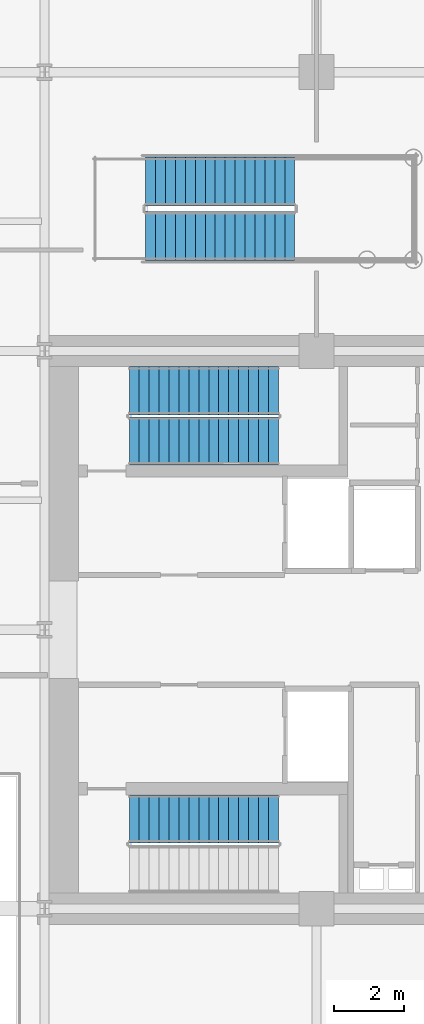
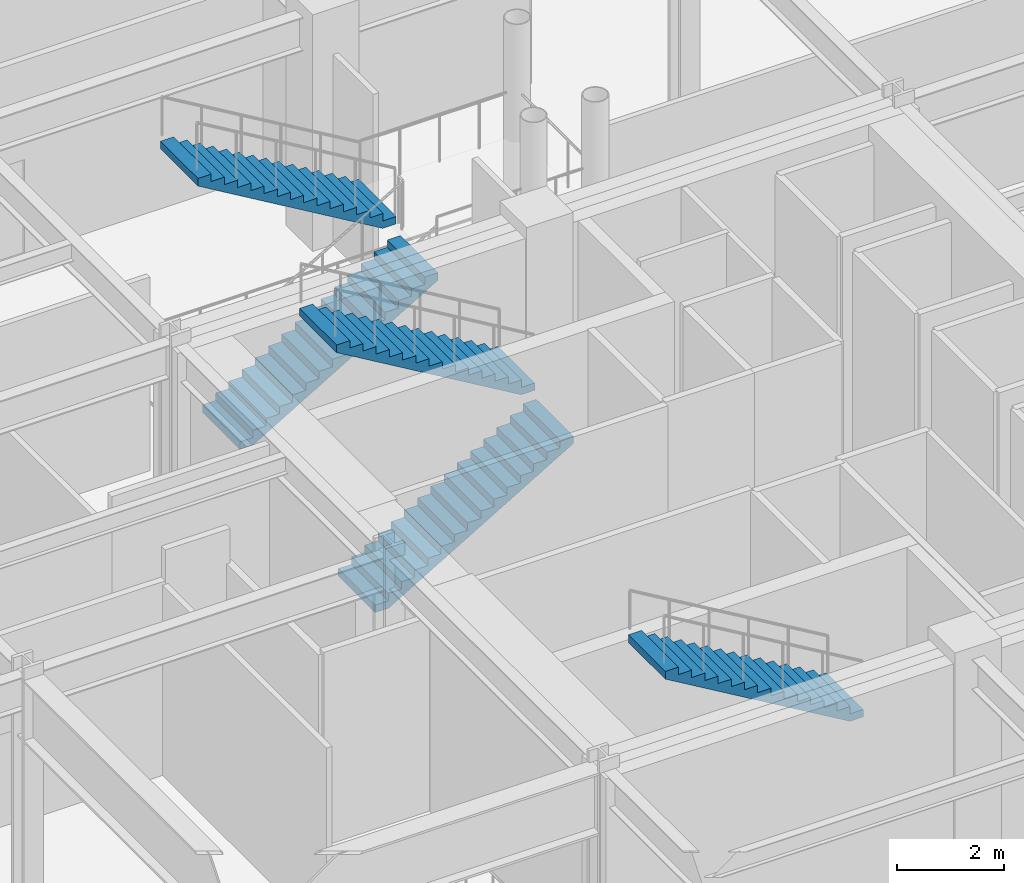
# One storey, part 11 of 15: 5 stair flights, 3 elements without a shape of their own.
"""IFC4 building model written with IfcOpenShell, lengths in metres."""

from ifc_helpers import new_model, si_unit, direction, frame, origin, place, context, subcontext, project, spatial, polyline, outline, extrude, material, type_object, element, aggregate, save


model = new_model("IFC4")

# Units and contexts
model_context = context("Model", 3, precision=1e-05, world=origin(), true_north=direction((0.0, 1.0)))
body_context = subcontext(model_context, "Body", "Model", "MODEL_VIEW")
ifc_project = project(units=[si_unit("LENGTHUNIT", "METRE"), si_unit("AREAUNIT", "SQUARE_METRE"), si_unit("VOLUMEUNIT", "CUBIC_METRE"), si_unit("PLANEANGLEUNIT", "RADIAN"), si_unit("MASSUNIT", "GRAM", prefix="KILO")], contexts=[model_context])

# Site, building, storey
site_placement = place(None, origin())
site = spatial("IfcSite", under=ifc_project, at=site_placement, CompositionType="ELEMENT")
building_placement = place(site_placement, origin())
building = spatial("IfcBuilding", under=site, at=building_placement, Name="Veymaron Broadcast Tower", CompositionType="ELEMENT")
storey_placement = place(building_placement, frame((0.0, 0.0, 5.39990234375)))
storey = spatial("IfcBuildingStorey", under=building, at=storey_placement, Name="L01", CompositionType="ELEMENT", Elevation=5.39990234375)

# Stair, stair flights
ifc_material_1 = material(Name="Concrete C50/60", Category="concrete")
stair_type_1 = type_object("IfcStairType", Name="STAIR-CORE-1", PredefinedType="HALF_TURN_STAIR", material=ifc_material_1)
stair_1_placement = place(storey_placement, origin())
stair_1 = element("IfcStair", 1, at=stair_1_placement, inside=storey, type_object=stair_type_1, Name="L01 North protected dog-leg exit stair ST1", PredefinedType="HALF_TURN_STAIR")
ifc_material_2 = material(Name="Precast concrete C50/60", Category="concrete")
stair_flight_type_1 = type_object("IfcStairFlightType", Name="FLT-CORE-RC", PredefinedType="STRAIGHT", material=ifc_material_2)
stair_flight_1_placement = place(storey_placement, frame((41.429931640625, 29.419921875, 0.0), z_axis=(0.0, 0.0, 1.0), x_axis=(1.0, 0.0, 0.0)))
stair_flight_1 = element("IfcStairFlight", 2, at=stair_flight_1_placement, type_object=stair_flight_type_1, Name="ST1 flight 1", NumberOfRisers=16, NumberOfTreads=15, PredefinedType="STRAIGHT", RiserHeight=0.16875, TreadLength=0.285, context=body_context, shape_type="SweptSolid", body=[
    extrude(outline(polyline([(0.0, 0.0), (0.0, 0.168701171875), (0.284912109375, 0.168701171875), (0.284912109375, 0.33740234375), (0.570068359375, 0.33740234375), (0.570068359375, 0.50634765625), (0.85498046875, 0.50634765625), (0.85498046875, 0.675048828125), (1.139892578125, 0.675048828125), (1.139892578125, 0.84375), (1.425048828125, 0.84375), (1.425048828125, 1.012451171875), (1.7099609375, 1.012451171875), (1.7099609375, 1.18115234375), (1.9951171875, 1.18115234375), (1.9951171875, 1.35009765625), (2.280029296875, 1.35009765625), (2.280029296875, 1.518798828125), (2.56494140625, 1.518798828125), (2.56494140625, 1.6875), (2.85009765625, 1.6875), (2.85009765625, 1.856201171875), (3.135009765625, 1.856201171875), (3.135009765625, 2.02490234375), (3.419921875, 2.02490234375), (3.419921875, 2.19384765625), (3.705078125, 2.19384765625), (3.705078125, 2.362548828125), (3.989990234375, 2.362548828125), (3.989990234375, 2.53125), (4.27490234375, 2.53125), (4.27490234375, 2.699951171875), (4.27490234375, 2.35693359375), (0.294189453125, 0.0), (0.0, 0.0)])), frame((0.0, 0.68994140625, 0.0), z_axis=(0.0, -1.0, 0.0), x_axis=(1.0, 0.0, 0.0)), (0.0, 0.0, 1.0), 1.3798828125),
])
stair_flight_2_placement = place(storey_placement, frame((45.705078125, 30.860107421875, 2.7001953125), z_axis=(0.0, 0.0, 1.0), x_axis=(-1.0, 0.0, 0.0)))
stair_flight_2 = element("IfcStairFlight", 3, at=stair_flight_2_placement, type_object=stair_flight_type_1, Name="ST1 flight 2", NumberOfRisers=16, NumberOfTreads=15, PredefinedType="STRAIGHT", RiserHeight=0.16875, TreadLength=0.285, context=body_context, shape_type="SweptSolid", body=[
    extrude(outline(polyline([(0.0, 0.0), (0.0, 0.168701171875), (0.284912109375, 0.168701171875), (0.284912109375, 0.33740234375), (0.570068359375, 0.33740234375), (0.570068359375, 0.50634765625), (0.85498046875, 0.50634765625), (0.85498046875, 0.675048828125), (1.139892578125, 0.675048828125), (1.139892578125, 0.84375), (1.425048828125, 0.84375), (1.425048828125, 1.012451171875), (1.7099609375, 1.012451171875), (1.7099609375, 1.18115234375), (1.9951171875, 1.18115234375), (1.9951171875, 1.35009765625), (2.280029296875, 1.35009765625), (2.280029296875, 1.518798828125), (2.56494140625, 1.518798828125), (2.56494140625, 1.6875), (2.85009765625, 1.6875), (2.85009765625, 1.856201171875), (3.135009765625, 1.856201171875), (3.135009765625, 2.02490234375), (3.419921875, 2.02490234375), (3.419921875, 2.19384765625), (3.705078125, 2.19384765625), (3.705078125, 2.362548828125), (3.989990234375, 2.362548828125), (3.989990234375, 2.53125), (4.27490234375, 2.53125), (4.27490234375, 2.699951171875), (4.27490234375, 2.35693359375), (0.294189453125, 0.0), (0.0, 0.0)])), frame((0.0, 0.68994140625, 0.0), z_axis=(0.0, -1.0, 0.0), x_axis=(1.0, 0.0, 0.0)), (0.0, 0.0, 1.0), 1.3798828125),
])
aggregate(stair_1, [stair_flight_1, stair_flight_2])

# Stair, stair flight
stair_type_2 = type_object("IfcStairType", Name="STAIR-CORE-2", PredefinedType="HALF_TURN_STAIR", material=ifc_material_1)
stair_2_placement = place(storey_placement, origin())
stair_2 = element("IfcStair", 4, at=stair_2_placement, inside=storey, type_object=stair_type_2, Name="L01 South protected dog-leg exit stair ST2", PredefinedType="HALF_TURN_STAIR")
stair_flight_3_placement = place(storey_placement, frame((45.705078125, 18.580078125, 2.7001953125), z_axis=(0.0, 0.0, 1.0), x_axis=(-1.0, 0.0, 0.0)))
stair_flight_3 = element("IfcStairFlight", 5, at=stair_flight_3_placement, type_object=stair_flight_type_1, Name="ST2 flight 2", NumberOfRisers=16, NumberOfTreads=15, PredefinedType="STRAIGHT", RiserHeight=0.16875, TreadLength=0.285, context=body_context, shape_type="SweptSolid", body=[
    extrude(outline(polyline([(0.0, 0.0), (0.0, 0.168701171875), (0.284912109375, 0.168701171875), (0.284912109375, 0.33740234375), (0.570068359375, 0.33740234375), (0.570068359375, 0.50634765625), (0.85498046875, 0.50634765625), (0.85498046875, 0.675048828125), (1.139892578125, 0.675048828125), (1.139892578125, 0.84375), (1.425048828125, 0.84375), (1.425048828125, 1.012451171875), (1.7099609375, 1.012451171875), (1.7099609375, 1.18115234375), (1.9951171875, 1.18115234375), (1.9951171875, 1.35009765625), (2.280029296875, 1.35009765625), (2.280029296875, 1.518798828125), (2.56494140625, 1.518798828125), (2.56494140625, 1.6875), (2.85009765625, 1.6875), (2.85009765625, 1.856201171875), (3.135009765625, 1.856201171875), (3.135009765625, 2.02490234375), (3.419921875, 2.02490234375), (3.419921875, 2.19384765625), (3.705078125, 2.19384765625), (3.705078125, 2.362548828125), (3.989990234375, 2.362548828125), (3.989990234375, 2.53125), (4.27490234375, 2.53125), (4.27490234375, 2.699951171875), (4.27490234375, 2.35693359375), (0.294189453125, 0.0), (0.0, 0.0)])), frame((0.0, 0.68994140625, 0.0), z_axis=(0.0, -1.0, 0.0), x_axis=(1.0, 0.0, 0.0)), (0.0, 0.0, 1.0), 1.3798828125),
])
aggregate(stair_2, [stair_flight_3])

# Stair, stair flights
ifc_material_3 = material(Name="Structural steel ASTM A992 Gr 50", Category="steel")
stair_type_3 = type_object("IfcStairType", Name="STAIR-FEAT-01", PredefinedType="HALF_TURN_STAIR", material=ifc_material_3)
stair_3_placement = place(storey_placement, origin())
stair_3 = element("IfcStair", 6, at=stair_3_placement, inside=storey, type_object=stair_type_3, Name="L01 Waterfront concourse monumental feature stair STF1", PredefinedType="HALF_TURN_STAIR")
stair_flight_type_2 = type_object("IfcStairFlightType", Name="FLT-FEAT-STL", PredefinedType="STRAIGHT", material=ifc_material_3)
stair_flight_4_placement = place(storey_placement, frame((41.89990234375, 35.300048828125, 0.0), z_axis=(0.0, 0.0, 1.0), x_axis=(1.0, 0.0, 0.0)))
stair_flight_4 = element("IfcStairFlight", 7, at=stair_flight_4_placement, type_object=stair_flight_type_2, Name="STF1 flight 1", NumberOfRisers=16, NumberOfTreads=15, PredefinedType="STRAIGHT", RiserHeight=0.16875, TreadLength=0.285, context=body_context, shape_type="SweptSolid", body=[
    extrude(outline(polyline([(0.0, 0.0), (0.0, 0.168701171875), (0.284912109375, 0.168701171875), (0.284912109375, 0.33740234375), (0.570068359375, 0.33740234375), (0.570068359375, 0.50634765625), (0.85498046875, 0.50634765625), (0.85498046875, 0.675048828125), (1.139892578125, 0.675048828125), (1.139892578125, 0.84375), (1.425048828125, 0.84375), (1.425048828125, 1.012451171875), (1.7099609375, 1.012451171875), (1.7099609375, 1.18115234375), (1.9951171875, 1.18115234375), (1.9951171875, 1.35009765625), (2.280029296875, 1.35009765625), (2.280029296875, 1.518798828125), (2.56494140625, 1.518798828125), (2.56494140625, 1.6875), (2.85009765625, 1.6875), (2.85009765625, 1.856201171875), (3.135009765625, 1.856201171875), (3.135009765625, 2.02490234375), (3.419921875, 2.02490234375), (3.419921875, 2.19384765625), (3.705078125, 2.19384765625), (3.705078125, 2.362548828125), (3.989990234375, 2.362548828125), (3.989990234375, 2.53125), (4.27490234375, 2.53125), (4.27490234375, 2.699951171875), (4.27490234375, 2.35693359375), (0.294189453125, 0.0), (0.0, 0.0)])), frame((0.0, 0.699951171875, 0.0), z_axis=(0.0, -1.0, 0.0), x_axis=(1.0, 0.0, 0.0)), (0.0, 0.0, 1.0), 1.39990234375),
])
stair_flight_5_placement = place(storey_placement, frame((46.175048828125, 36.860107421875, 2.7001953125), z_axis=(0.0, 0.0, 1.0), x_axis=(-1.0, 0.0, 0.0)))
stair_flight_5 = element("IfcStairFlight", 8, at=stair_flight_5_placement, type_object=stair_flight_type_2, Name="STF1 flight 2", NumberOfRisers=16, NumberOfTreads=15, PredefinedType="STRAIGHT", RiserHeight=0.16875, TreadLength=0.285, context=body_context, shape_type="SweptSolid", body=[
    extrude(outline(polyline([(0.0, 0.0), (0.0, 0.168701171875), (0.284912109375, 0.168701171875), (0.284912109375, 0.33740234375), (0.570068359375, 0.33740234375), (0.570068359375, 0.50634765625), (0.85498046875, 0.50634765625), (0.85498046875, 0.675048828125), (1.139892578125, 0.675048828125), (1.139892578125, 0.84375), (1.425048828125, 0.84375), (1.425048828125, 1.012451171875), (1.7099609375, 1.012451171875), (1.7099609375, 1.18115234375), (1.9951171875, 1.18115234375), (1.9951171875, 1.35009765625), (2.280029296875, 1.35009765625), (2.280029296875, 1.518798828125), (2.56494140625, 1.518798828125), (2.56494140625, 1.6875), (2.85009765625, 1.6875), (2.85009765625, 1.856201171875), (3.135009765625, 1.856201171875), (3.135009765625, 2.02490234375), (3.419921875, 2.02490234375), (3.419921875, 2.19384765625), (3.705078125, 2.19384765625), (3.705078125, 2.362548828125), (3.989990234375, 2.362548828125), (3.989990234375, 2.53125), (4.27490234375, 2.53125), (4.27490234375, 2.699951171875), (4.27490234375, 2.35693359375), (0.294189453125, 0.0), (0.0, 0.0)])), frame((0.0, 0.699951171875, 0.0), z_axis=(0.0, -1.0, 0.0), x_axis=(1.0, 0.0, 0.0)), (0.0, 0.0, 1.0), 1.39990234375),
])
aggregate(stair_3, [stair_flight_4, stair_flight_5])

save(model, "model.ifc")
